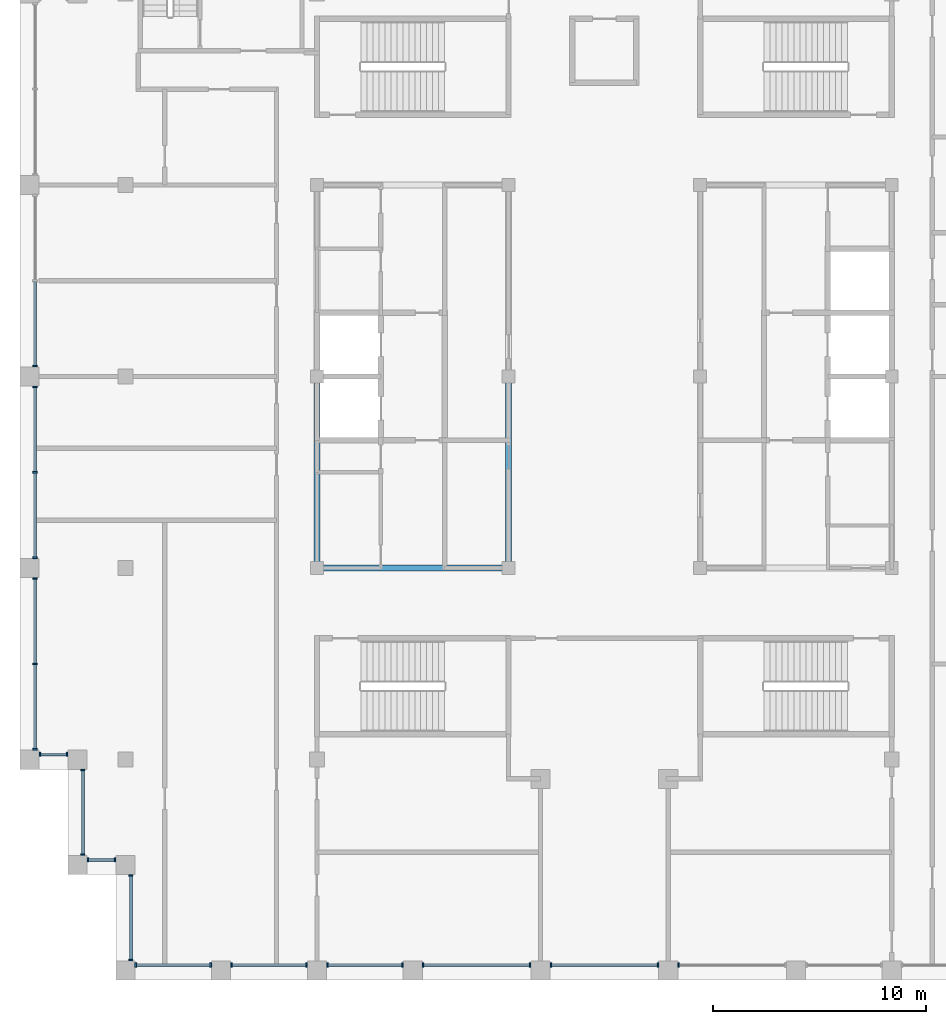
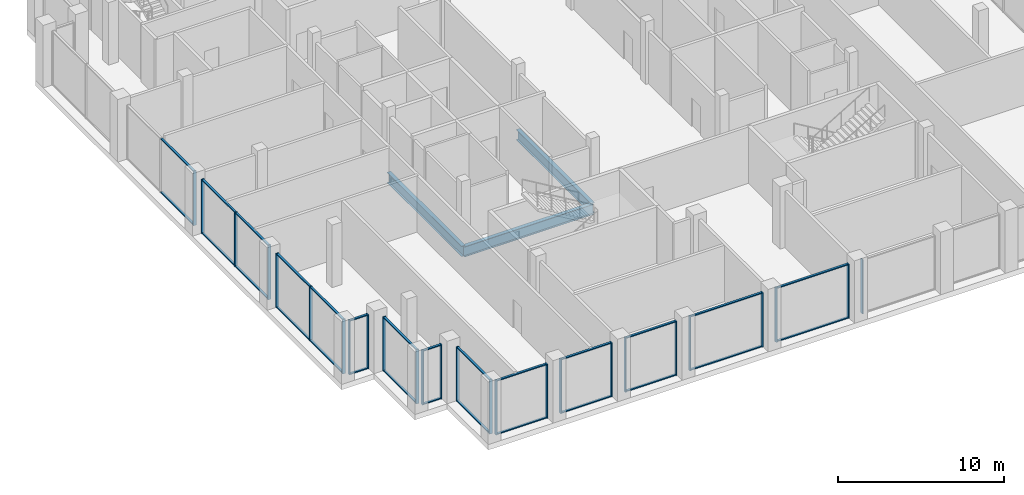
# One storey, part 2 of 12: 54 members, 3 beams, 13 elements without a shape of their own.
"""IFC4 building model written with IfcOpenShell, lengths in metres."""

from ifc_helpers import new_model, si_unit, direction, frame, origin, origin_2d, place, context, subcontext, project, spatial, rectangle, i_section, extrude, material, layer, layer_set, material_profile, profile_set, type_object, element, aggregate, save


model = new_model("IFC4")

# Units and contexts
model_context = context("Model", 3, precision=1e-05, world=origin(), true_north=direction((0.0, 1.0)))
body_context = subcontext(model_context, "Body", "Model", "MODEL_VIEW")
ifc_project = project(units=[si_unit("LENGTHUNIT", "METRE"), si_unit("AREAUNIT", "SQUARE_METRE"), si_unit("VOLUMEUNIT", "CUBIC_METRE"), si_unit("PLANEANGLEUNIT", "RADIAN"), si_unit("MASSUNIT", "GRAM", prefix="KILO")], contexts=[model_context])

# Site, building, storey
site_placement = place(None, origin())
site = spatial("IfcSite", under=ifc_project, at=site_placement, CompositionType="ELEMENT")
building_placement = place(site_placement, origin())
building = spatial("IfcBuilding", under=site, at=building_placement, Name="Corbelhall Arena Tower", CompositionType="ELEMENT")
storey_placement = place(building_placement, frame((0.0, 0.0, 356.0)))
storey = spatial("IfcBuildingStorey", under=building, at=storey_placement, Name="L78", CompositionType="ELEMENT", Elevation=356.0)

# Curtain wall, member
ifc_material_1 = material(Name="Aluminium black anodised", Category="aluminium")
ifc_layer = layer(ifc_material_1, 0.179931640625)
ifc_layer_set = layer_set([ifc_layer], Name="EV-CW3 Crown glazing")
curtain_wall_type = type_object("IfcCurtainWallType", Name="EV-CW3 Crown glazing", PredefinedType="NOTDEFINED", material=ifc_layer_set)
curtain_wall_1_placement = place(storey_placement, origin())
curtain_wall_1 = element("IfcCurtainWall", 1, at=curtain_wall_1_placement, inside=storey, type_object=curtain_wall_type, Name="Curtain wall CW3", PredefinedType="NOTDEFINED")
ifc_material_profile_1 = material_profile(ifc_material_1, rectangle(XDim=0.199951171875, YDim=0.074951171875, at=origin_2d()))
ifc_profile_set_1 = profile_set([ifc_material_profile_1], Name="Aluminium black anodised")
member_type_1 = type_object("IfcMemberType", Name="EV-CW3-MULLION", PredefinedType="MULLION", material=ifc_profile_set_1)
member_1_placement = place(storey_placement, frame((-26.75, 0.487548828125, 0.0), z_axis=(0.0, 0.0, 1.0), x_axis=(1.0, 0.0, 0.0)))
member_1 = element("IfcMember", 2, at=member_1_placement, type_object=member_type_1, Name="CW3 mullion 3", PredefinedType="MULLION", context=body_context, shape_type="SweptSolid", body=[
    extrude(rectangle(XDim=0.199951171875, YDim=0.074951171875, at=origin_2d()), origin(), (0.0, 0.0, 1.0), 3.99951171875),
])

# Curtain wall, members
curtain_wall_2_placement = place(storey_placement, origin())
curtain_wall_2 = element("IfcCurtainWall", 3, at=curtain_wall_2_placement, inside=storey, type_object=curtain_wall_type, Name="Curtain wall CW3", PredefinedType="NOTDEFINED")
member_2_placement = place(storey_placement, frame((-26.75, -0.487548828125, 0.0), z_axis=(0.0, 0.0, 1.0), x_axis=(1.0, 0.0, 0.0)))
member_2 = element("IfcMember", 4, at=member_2_placement, type_object=member_type_1, Name="CW3 mullion 1", PredefinedType="MULLION", context=body_context, shape_type="SweptSolid", body=[
    extrude(rectangle(XDim=0.199951171875, YDim=0.074951171875, at=origin_2d()), origin(), (0.0, 0.0, 1.0), 3.99951171875),
])
member_3_placement = place(storey_placement, frame((-26.75, -4.5, 0.0), z_axis=(0.0, 0.0, 1.0), x_axis=(1.0, 0.0, 0.0)))
member_3 = element("IfcMember", 5, at=member_3_placement, type_object=member_type_1, Name="CW3 mullion 2", PredefinedType="MULLION", context=body_context, shape_type="SweptSolid", body=[
    extrude(rectangle(XDim=0.199951171875, YDim=0.074951171875, at=origin_2d()), origin(), (0.0, 0.0, 1.0), 3.99951171875),
])
member_4_placement = place(storey_placement, frame((-26.75, -8.512451171875, 0.0), z_axis=(0.0, 0.0, 1.0), x_axis=(1.0, 0.0, 0.0)))
member_4 = element("IfcMember", 6, at=member_4_placement, type_object=member_type_1, Name="CW3 mullion 3", PredefinedType="MULLION", context=body_context, shape_type="SweptSolid", body=[
    extrude(rectangle(XDim=0.199951171875, YDim=0.074951171875, at=origin_2d()), origin(), (0.0, 0.0, 1.0), 3.99951171875),
])

curtain_wall_3_placement = place(storey_placement, origin())
curtain_wall_3 = element("IfcCurtainWall", 7, at=curtain_wall_3_placement, inside=storey, type_object=curtain_wall_type, Name="Curtain wall CW3", PredefinedType="NOTDEFINED")
member_5_placement = place(storey_placement, frame((-26.75, -9.487548828125, 0.0), z_axis=(0.0, 0.0, 1.0), x_axis=(1.0, 0.0, 0.0)))
member_5 = element("IfcMember", 8, at=member_5_placement, type_object=member_type_1, Name="CW3 mullion 1", PredefinedType="MULLION", context=body_context, shape_type="SweptSolid", body=[
    extrude(rectangle(XDim=0.199951171875, YDim=0.074951171875, at=origin_2d()), origin(), (0.0, 0.0, 1.0), 3.99951171875),
])
member_6_placement = place(storey_placement, frame((-26.75, -13.5, 0.0), z_axis=(0.0, 0.0, 1.0), x_axis=(1.0, 0.0, 0.0)))
member_6 = element("IfcMember", 9, at=member_6_placement, type_object=member_type_1, Name="CW3 mullion 2", PredefinedType="MULLION", context=body_context, shape_type="SweptSolid", body=[
    extrude(rectangle(XDim=0.199951171875, YDim=0.074951171875, at=origin_2d()), origin(), (0.0, 0.0, 1.0), 3.99951171875),
])
member_7_placement = place(storey_placement, frame((-26.75, -17.512451171875, 0.0), z_axis=(0.0, 0.0, 1.0), x_axis=(1.0, 0.0, 0.0)))
member_7 = element("IfcMember", 10, at=member_7_placement, type_object=member_type_1, Name="CW3 mullion 3", PredefinedType="MULLION", context=body_context, shape_type="SweptSolid", body=[
    extrude(rectangle(XDim=0.199951171875, YDim=0.074951171875, at=origin_2d()), origin(), (0.0, 0.0, 1.0), 3.99951171875),
])

curtain_wall_4_placement = place(storey_placement, origin())
curtain_wall_4 = element("IfcCurtainWall", 11, at=curtain_wall_4_placement, inside=storey, type_object=curtain_wall_type, Name="Curtain wall CW3B", PredefinedType="NOTDEFINED")
member_8_placement = place(storey_placement, frame((-26.512451171875, -17.75, 0.0), z_axis=(0.0, 0.0, 1.0), x_axis=(0.0, 1.0, 0.0)))
member_8 = element("IfcMember", 12, at=member_8_placement, type_object=member_type_1, Name="CW3B mullion 1", PredefinedType="MULLION", context=body_context, shape_type="SweptSolid", body=[
    extrude(rectangle(XDim=0.199951171875, YDim=0.074951171875, at=origin_2d()), origin(), (0.0, 0.0, 1.0), 3.99951171875),
])
member_9_placement = place(storey_placement, frame((-25.237548828125, -17.75, 0.0), z_axis=(0.0, 0.0, 1.0), x_axis=(0.0, 1.0, 0.0)))
member_9 = element("IfcMember", 13, at=member_9_placement, type_object=member_type_1, Name="CW3B mullion 2", PredefinedType="MULLION", context=body_context, shape_type="SweptSolid", body=[
    extrude(rectangle(XDim=0.199951171875, YDim=0.074951171875, at=origin_2d()), origin(), (0.0, 0.0, 1.0), 3.99951171875),
])

curtain_wall_5_placement = place(storey_placement, origin())
curtain_wall_5 = element("IfcCurtainWall", 14, at=curtain_wall_5_placement, inside=storey, type_object=curtain_wall_type, Name="Curtain wall CW3", PredefinedType="NOTDEFINED")
member_10_placement = place(storey_placement, frame((-24.5, -18.487548828125, 0.0), z_axis=(0.0, 0.0, 1.0), x_axis=(1.0, 0.0, 0.0)))
member_10 = element("IfcMember", 15, at=member_10_placement, type_object=member_type_1, Name="CW3 mullion 1", PredefinedType="MULLION", context=body_context, shape_type="SweptSolid", body=[
    extrude(rectangle(XDim=0.199951171875, YDim=0.074951171875, at=origin_2d()), origin(), (0.0, 0.0, 1.0), 3.99951171875),
])
member_11_placement = place(storey_placement, frame((-24.5, -22.46240234375, 0.0), z_axis=(0.0, 0.0, 1.0), x_axis=(1.0, 0.0, 0.0)))
member_11 = element("IfcMember", 16, at=member_11_placement, type_object=member_type_1, Name="CW3 mullion 2", PredefinedType="MULLION", context=body_context, shape_type="SweptSolid", body=[
    extrude(rectangle(XDim=0.199951171875, YDim=0.074951171875, at=origin_2d()), origin(), (0.0, 0.0, 1.0), 3.99951171875),
])

curtain_wall_6_placement = place(storey_placement, origin())
curtain_wall_6 = element("IfcCurtainWall", 17, at=curtain_wall_6_placement, inside=storey, type_object=curtain_wall_type, Name="Curtain wall CW3B", PredefinedType="NOTDEFINED")
member_12_placement = place(storey_placement, frame((-24.262451171875, -22.699951171875, 0.0), z_axis=(0.0, 0.0, 1.0), x_axis=(0.0, 1.0, 0.0)))
member_12 = element("IfcMember", 18, at=member_12_placement, type_object=member_type_1, Name="CW3B mullion 1", PredefinedType="MULLION", context=body_context, shape_type="SweptSolid", body=[
    extrude(rectangle(XDim=0.199951171875, YDim=0.074951171875, at=origin_2d()), origin(), (0.0, 0.0, 1.0), 3.99951171875),
])
member_13_placement = place(storey_placement, frame((-22.987548828125, -22.699951171875, 0.0), z_axis=(0.0, 0.0, 1.0), x_axis=(0.0, 1.0, 0.0)))
member_13 = element("IfcMember", 19, at=member_13_placement, type_object=member_type_1, Name="CW3B mullion 2", PredefinedType="MULLION", context=body_context, shape_type="SweptSolid", body=[
    extrude(rectangle(XDim=0.199951171875, YDim=0.074951171875, at=origin_2d()), origin(), (0.0, 0.0, 1.0), 3.99951171875),
])

curtain_wall_7_placement = place(storey_placement, origin())
curtain_wall_7 = element("IfcCurtainWall", 20, at=curtain_wall_7_placement, inside=storey, type_object=curtain_wall_type, Name="Curtain wall CW3", PredefinedType="NOTDEFINED")
member_14_placement = place(storey_placement, frame((-22.25, -23.4375, 0.0), z_axis=(0.0, 0.0, 1.0), x_axis=(1.0, 0.0, 0.0)))
member_14 = element("IfcMember", 21, at=member_14_placement, type_object=member_type_1, Name="CW3 mullion 1", PredefinedType="MULLION", context=body_context, shape_type="SweptSolid", body=[
    extrude(rectangle(XDim=0.199951171875, YDim=0.074951171875, at=origin_2d()), origin(), (0.0, 0.0, 1.0), 3.99951171875),
])
member_15_placement = place(storey_placement, frame((-22.25, -27.41259765625, 0.0), z_axis=(0.0, 0.0, 1.0), x_axis=(1.0, 0.0, 0.0)))
member_15 = element("IfcMember", 22, at=member_15_placement, type_object=member_type_1, Name="CW3 mullion 2", PredefinedType="MULLION", context=body_context, shape_type="SweptSolid", body=[
    extrude(rectangle(XDim=0.199951171875, YDim=0.074951171875, at=origin_2d()), origin(), (0.0, 0.0, 1.0), 3.99951171875),
])

curtain_wall_8_placement = place(storey_placement, origin())
curtain_wall_8 = element("IfcCurtainWall", 23, at=curtain_wall_8_placement, inside=storey, type_object=curtain_wall_type, Name="Curtain wall CW3A", PredefinedType="NOTDEFINED")
member_16_placement = place(storey_placement, frame((-22.012451171875, -27.64990234375, 0.0), z_axis=(0.0, 0.0, 1.0), x_axis=(0.0, 1.0, 0.0)))
member_16 = element("IfcMember", 24, at=member_16_placement, type_object=member_type_1, Name="CW3A mullion 1", PredefinedType="MULLION", context=body_context, shape_type="SweptSolid", body=[
    extrude(rectangle(XDim=0.199951171875, YDim=0.074951171875, at=origin_2d()), origin(), (0.0, 0.0, 1.0), 3.99951171875),
])
member_17_placement = place(storey_placement, frame((-18.487548828125, -27.64990234375, 0.0), z_axis=(0.0, 0.0, 1.0), x_axis=(0.0, 1.0, 0.0)))
member_17 = element("IfcMember", 25, at=member_17_placement, type_object=member_type_1, Name="CW3A mullion 2", PredefinedType="MULLION", context=body_context, shape_type="SweptSolid", body=[
    extrude(rectangle(XDim=0.199951171875, YDim=0.074951171875, at=origin_2d()), origin(), (0.0, 0.0, 1.0), 3.99951171875),
])

curtain_wall_9_placement = place(storey_placement, origin())
curtain_wall_9 = element("IfcCurtainWall", 26, at=curtain_wall_9_placement, inside=storey, type_object=curtain_wall_type, Name="Curtain wall CW3A", PredefinedType="NOTDEFINED")
member_18_placement = place(storey_placement, frame((-17.512451171875, -27.64990234375, 0.0), z_axis=(0.0, 0.0, 1.0), x_axis=(0.0, 1.0, 0.0)))
member_18 = element("IfcMember", 27, at=member_18_placement, type_object=member_type_1, Name="CW3A mullion 1", PredefinedType="MULLION", context=body_context, shape_type="SweptSolid", body=[
    extrude(rectangle(XDim=0.199951171875, YDim=0.074951171875, at=origin_2d()), origin(), (0.0, 0.0, 1.0), 3.99951171875),
])
member_19_placement = place(storey_placement, frame((-13.987548828125, -27.64990234375, 0.0), z_axis=(0.0, 0.0, 1.0), x_axis=(0.0, 1.0, 0.0)))
member_19 = element("IfcMember", 28, at=member_19_placement, type_object=member_type_1, Name="CW3A mullion 2", PredefinedType="MULLION", context=body_context, shape_type="SweptSolid", body=[
    extrude(rectangle(XDim=0.199951171875, YDim=0.074951171875, at=origin_2d()), origin(), (0.0, 0.0, 1.0), 3.99951171875),
])

curtain_wall_10_placement = place(storey_placement, origin())
curtain_wall_10 = element("IfcCurtainWall", 29, at=curtain_wall_10_placement, inside=storey, type_object=curtain_wall_type, Name="Curtain wall CW3A", PredefinedType="NOTDEFINED")
member_20_placement = place(storey_placement, frame((-13.012451171875, -27.64990234375, 0.0), z_axis=(0.0, 0.0, 1.0), x_axis=(0.0, 1.0, 0.0)))
member_20 = element("IfcMember", 30, at=member_20_placement, type_object=member_type_1, Name="CW3A mullion 1", PredefinedType="MULLION", context=body_context, shape_type="SweptSolid", body=[
    extrude(rectangle(XDim=0.199951171875, YDim=0.074951171875, at=origin_2d()), origin(), (0.0, 0.0, 1.0), 3.99951171875),
])
member_21_placement = place(storey_placement, frame((-9.487548828125, -27.64990234375, 0.0), z_axis=(0.0, 0.0, 1.0), x_axis=(0.0, 1.0, 0.0)))
member_21 = element("IfcMember", 31, at=member_21_placement, type_object=member_type_1, Name="CW3A mullion 2", PredefinedType="MULLION", context=body_context, shape_type="SweptSolid", body=[
    extrude(rectangle(XDim=0.199951171875, YDim=0.074951171875, at=origin_2d()), origin(), (0.0, 0.0, 1.0), 3.99951171875),
])

curtain_wall_11_placement = place(storey_placement, origin())
curtain_wall_11 = element("IfcCurtainWall", 32, at=curtain_wall_11_placement, inside=storey, type_object=curtain_wall_type, Name="Curtain wall CW3C", PredefinedType="NOTDEFINED")
member_22_placement = place(storey_placement, frame((-8.512451171875, -27.64990234375, 0.0), z_axis=(0.0, 0.0, 1.0), x_axis=(0.0, 1.0, 0.0)))
member_22 = element("IfcMember", 33, at=member_22_placement, type_object=member_type_1, Name="CW3C mullion 1", PredefinedType="MULLION", context=body_context, shape_type="SweptSolid", body=[
    extrude(rectangle(XDim=0.199951171875, YDim=0.074951171875, at=origin_2d()), origin(), (0.0, 0.0, 1.0), 3.99951171875),
])
member_23_placement = place(storey_placement, frame((-3.487548828125, -27.64990234375, 0.0), z_axis=(0.0, 0.0, 1.0), x_axis=(0.0, 1.0, 0.0)))
member_23 = element("IfcMember", 34, at=member_23_placement, type_object=member_type_1, Name="CW3C mullion 2", PredefinedType="MULLION", context=body_context, shape_type="SweptSolid", body=[
    extrude(rectangle(XDim=0.199951171875, YDim=0.074951171875, at=origin_2d()), origin(), (0.0, 0.0, 1.0), 3.99951171875),
])

curtain_wall_12_placement = place(storey_placement, origin())
curtain_wall_12 = element("IfcCurtainWall", 35, at=curtain_wall_12_placement, inside=storey, type_object=curtain_wall_type, Name="Curtain wall CW3C", PredefinedType="NOTDEFINED")
member_24_placement = place(storey_placement, frame((-2.512451171875, -27.64990234375, 0.0), z_axis=(0.0, 0.0, 1.0), x_axis=(0.0, 1.0, 0.0)))
member_24 = element("IfcMember", 36, at=member_24_placement, type_object=member_type_1, Name="CW3C mullion 1", PredefinedType="MULLION", context=body_context, shape_type="SweptSolid", body=[
    extrude(rectangle(XDim=0.199951171875, YDim=0.074951171875, at=origin_2d()), origin(), (0.0, 0.0, 1.0), 3.99951171875),
])
member_25_placement = place(storey_placement, frame((2.512451171875, -27.64990234375, 0.0), z_axis=(0.0, 0.0, 1.0), x_axis=(0.0, 1.0, 0.0)))
member_25 = element("IfcMember", 37, at=member_25_placement, type_object=member_type_1, Name="CW3C mullion 2", PredefinedType="MULLION", context=body_context, shape_type="SweptSolid", body=[
    extrude(rectangle(XDim=0.199951171875, YDim=0.074951171875, at=origin_2d()), origin(), (0.0, 0.0, 1.0), 3.99951171875),
])

# Curtain wall, member
curtain_wall_13_placement = place(storey_placement, origin())
curtain_wall_13 = element("IfcCurtainWall", 38, at=curtain_wall_13_placement, inside=storey, type_object=curtain_wall_type, Name="Curtain wall CW3C", PredefinedType="NOTDEFINED")
member_26_placement = place(storey_placement, frame((3.487548828125, -27.64990234375, 0.0), z_axis=(0.0, 0.0, 1.0), x_axis=(0.0, 1.0, 0.0)))
member_26 = element("IfcMember", 39, at=member_26_placement, type_object=member_type_1, Name="CW3C mullion 1", PredefinedType="MULLION", context=body_context, shape_type="SweptSolid", body=[
    extrude(rectangle(XDim=0.199951171875, YDim=0.074951171875, at=origin_2d()), origin(), (0.0, 0.0, 1.0), 3.99951171875),
])
aggregate(curtain_wall_13, [member_26])

# Member
ifc_material_profile_2 = material_profile(ifc_material_1, rectangle(XDim=0.14990234375, YDim=0.074951171875, at=origin_2d()))
ifc_profile_set_2 = profile_set([ifc_material_profile_2], Name="Aluminium black anodised")
member_type_2 = type_object("IfcMemberType", Name="EV-CW3-TRANSOM", PredefinedType="USERDEFINED", material=ifc_profile_set_2)
member_27_placement = place(storey_placement, frame((-26.75, 4.46240234375, 0.03759765625), z_axis=(0.0, -1.0, 0.0), x_axis=(1.0, 0.0, 0.0)))
member_27 = element("IfcMember", 40, at=member_27_placement, type_object=member_type_2, Name="CW3 transom 2.1", ObjectType="transom", PredefinedType="USERDEFINED", context=body_context, shape_type="SweptSolid", body=[
    extrude(rectangle(XDim=0.14990234375, YDim=0.074951171875, at=origin_2d()), origin(), (0.0, 0.0, 1.0), 3.9375),
])

member_28_placement = place(storey_placement, frame((-26.75, 4.46240234375, 3.962158203125), z_axis=(0.0, -1.0, 0.0), x_axis=(1.0, 0.0, 0.0)))
member_28 = element("IfcMember", 41, at=member_28_placement, type_object=member_type_2, Name="CW3 transom 2.2", ObjectType="transom", PredefinedType="USERDEFINED", context=body_context, shape_type="SweptSolid", body=[
    extrude(rectangle(XDim=0.14990234375, YDim=0.074951171875, at=origin_2d()), origin(), (0.0, 0.0, 1.0), 3.9375),
])

aggregate(curtain_wall_1, [member_1, member_27, member_28])

member_29_placement = place(storey_placement, frame((-26.75, -0.52490234375, 0.03759765625), z_axis=(0.0, -1.0, 0.0), x_axis=(1.0, 0.0, 0.0)))
member_29 = element("IfcMember", 42, at=member_29_placement, type_object=member_type_2, Name="CW3 transom 1.1", ObjectType="transom", PredefinedType="USERDEFINED", context=body_context, shape_type="SweptSolid", body=[
    extrude(rectangle(XDim=0.14990234375, YDim=0.074951171875, at=origin_2d()), origin(), (0.0, 0.0, 1.0), 3.9375),
])

member_30_placement = place(storey_placement, frame((-26.75, -0.52490234375, 3.962158203125), z_axis=(0.0, -1.0, 0.0), x_axis=(1.0, 0.0, 0.0)))
member_30 = element("IfcMember", 43, at=member_30_placement, type_object=member_type_2, Name="CW3 transom 1.2", ObjectType="transom", PredefinedType="USERDEFINED", context=body_context, shape_type="SweptSolid", body=[
    extrude(rectangle(XDim=0.14990234375, YDim=0.074951171875, at=origin_2d()), origin(), (0.0, 0.0, 1.0), 3.9375),
])

member_31_placement = place(storey_placement, frame((-26.75, -4.53759765625, 0.03759765625), z_axis=(0.0, -1.0, 0.0), x_axis=(1.0, 0.0, 0.0)))
member_31 = element("IfcMember", 44, at=member_31_placement, type_object=member_type_2, Name="CW3 transom 2.1", ObjectType="transom", PredefinedType="USERDEFINED", context=body_context, shape_type="SweptSolid", body=[
    extrude(rectangle(XDim=0.14990234375, YDim=0.074951171875, at=origin_2d()), origin(), (0.0, 0.0, 1.0), 3.9375),
])

member_32_placement = place(storey_placement, frame((-26.75, -4.53759765625, 3.962158203125), z_axis=(0.0, -1.0, 0.0), x_axis=(1.0, 0.0, 0.0)))
member_32 = element("IfcMember", 45, at=member_32_placement, type_object=member_type_2, Name="CW3 transom 2.2", ObjectType="transom", PredefinedType="USERDEFINED", context=body_context, shape_type="SweptSolid", body=[
    extrude(rectangle(XDim=0.14990234375, YDim=0.074951171875, at=origin_2d()), origin(), (0.0, 0.0, 1.0), 3.9375),
])

aggregate(curtain_wall_2, [member_2, member_3, member_4, member_29, member_30, member_31, member_32])

member_33_placement = place(storey_placement, frame((-26.75, -9.52490234375, 0.03759765625), z_axis=(0.0, -1.0, 0.0), x_axis=(1.0, 0.0, 0.0)))
member_33 = element("IfcMember", 46, at=member_33_placement, type_object=member_type_2, Name="CW3 transom 1.1", ObjectType="transom", PredefinedType="USERDEFINED", context=body_context, shape_type="SweptSolid", body=[
    extrude(rectangle(XDim=0.14990234375, YDim=0.074951171875, at=origin_2d()), origin(), (0.0, 0.0, 1.0), 3.9375),
])

member_34_placement = place(storey_placement, frame((-26.75, -9.52490234375, 3.962158203125), z_axis=(0.0, -1.0, 0.0), x_axis=(1.0, 0.0, 0.0)))
member_34 = element("IfcMember", 47, at=member_34_placement, type_object=member_type_2, Name="CW3 transom 1.2", ObjectType="transom", PredefinedType="USERDEFINED", context=body_context, shape_type="SweptSolid", body=[
    extrude(rectangle(XDim=0.14990234375, YDim=0.074951171875, at=origin_2d()), origin(), (0.0, 0.0, 1.0), 3.9375),
])

member_35_placement = place(storey_placement, frame((-26.75, -13.53759765625, 0.03759765625), z_axis=(0.0, -1.0, 0.0), x_axis=(1.0, 0.0, 0.0)))
member_35 = element("IfcMember", 48, at=member_35_placement, type_object=member_type_2, Name="CW3 transom 2.1", ObjectType="transom", PredefinedType="USERDEFINED", context=body_context, shape_type="SweptSolid", body=[
    extrude(rectangle(XDim=0.14990234375, YDim=0.074951171875, at=origin_2d()), origin(), (0.0, 0.0, 1.0), 3.9375),
])

member_36_placement = place(storey_placement, frame((-26.75, -13.53759765625, 3.962158203125), z_axis=(0.0, -1.0, 0.0), x_axis=(1.0, 0.0, 0.0)))
member_36 = element("IfcMember", 49, at=member_36_placement, type_object=member_type_2, Name="CW3 transom 2.2", ObjectType="transom", PredefinedType="USERDEFINED", context=body_context, shape_type="SweptSolid", body=[
    extrude(rectangle(XDim=0.14990234375, YDim=0.074951171875, at=origin_2d()), origin(), (0.0, 0.0, 1.0), 3.9375),
])

aggregate(curtain_wall_3, [member_5, member_6, member_7, member_33, member_34, member_35, member_36])

member_37_placement = place(storey_placement, frame((-26.47509765625, -17.75, 0.03759765625), z_axis=(1.0, 0.0, 0.0), x_axis=(0.0, 1.0, 0.0)))
member_37 = element("IfcMember", 50, at=member_37_placement, type_object=member_type_2, Name="CW3B transom 1.1", ObjectType="transom", PredefinedType="USERDEFINED", context=body_context, shape_type="SweptSolid", body=[
    extrude(rectangle(XDim=0.14990234375, YDim=0.074951171875, at=origin_2d()), origin(), (0.0, 0.0, 1.0), 1.2001953125),
])

member_38_placement = place(storey_placement, frame((-26.47509765625, -17.75, 3.962158203125), z_axis=(1.0, 0.0, 0.0), x_axis=(0.0, 1.0, 0.0)))
member_38 = element("IfcMember", 51, at=member_38_placement, type_object=member_type_2, Name="CW3B transom 1.2", ObjectType="transom", PredefinedType="USERDEFINED", context=body_context, shape_type="SweptSolid", body=[
    extrude(rectangle(XDim=0.14990234375, YDim=0.074951171875, at=origin_2d()), origin(), (0.0, 0.0, 1.0), 1.2001953125),
])

aggregate(curtain_wall_4, [member_8, member_9, member_37, member_38])

member_39_placement = place(storey_placement, frame((-24.5, -18.52490234375, 0.03759765625), z_axis=(0.0, -1.0, 0.0), x_axis=(1.0, 0.0, 0.0)))
member_39 = element("IfcMember", 52, at=member_39_placement, type_object=member_type_2, Name="CW3 transom 1.1", ObjectType="transom", PredefinedType="USERDEFINED", context=body_context, shape_type="SweptSolid", body=[
    extrude(rectangle(XDim=0.14990234375, YDim=0.074951171875, at=origin_2d()), origin(), (0.0, 0.0, 1.0), 3.900146484375),
])

member_40_placement = place(storey_placement, frame((-24.5, -18.52490234375, 3.962158203125), z_axis=(0.0, -1.0, 0.0), x_axis=(1.0, 0.0, 0.0)))
member_40 = element("IfcMember", 53, at=member_40_placement, type_object=member_type_2, Name="CW3 transom 1.2", ObjectType="transom", PredefinedType="USERDEFINED", context=body_context, shape_type="SweptSolid", body=[
    extrude(rectangle(XDim=0.14990234375, YDim=0.074951171875, at=origin_2d()), origin(), (0.0, 0.0, 1.0), 3.900146484375),
])

aggregate(curtain_wall_5, [member_10, member_11, member_39, member_40])

member_41_placement = place(storey_placement, frame((-24.22509765625, -22.699951171875, 0.03759765625), z_axis=(1.0, 0.0, 0.0), x_axis=(0.0, 1.0, 0.0)))
member_41 = element("IfcMember", 54, at=member_41_placement, type_object=member_type_2, Name="CW3B transom 1.1", ObjectType="transom", PredefinedType="USERDEFINED", context=body_context, shape_type="SweptSolid", body=[
    extrude(rectangle(XDim=0.14990234375, YDim=0.074951171875, at=origin_2d()), origin(), (0.0, 0.0, 1.0), 1.2001953125),
])

member_42_placement = place(storey_placement, frame((-24.22509765625, -22.699951171875, 3.962158203125), z_axis=(1.0, 0.0, 0.0), x_axis=(0.0, 1.0, 0.0)))
member_42 = element("IfcMember", 55, at=member_42_placement, type_object=member_type_2, Name="CW3B transom 1.2", ObjectType="transom", PredefinedType="USERDEFINED", context=body_context, shape_type="SweptSolid", body=[
    extrude(rectangle(XDim=0.14990234375, YDim=0.074951171875, at=origin_2d()), origin(), (0.0, 0.0, 1.0), 1.2001953125),
])

aggregate(curtain_wall_6, [member_12, member_13, member_41, member_42])

member_43_placement = place(storey_placement, frame((-22.25, -23.47509765625, 0.03759765625), z_axis=(0.0, -1.0, 0.0), x_axis=(1.0, 0.0, 0.0)))
member_43 = element("IfcMember", 56, at=member_43_placement, type_object=member_type_2, Name="CW3 transom 1.1", ObjectType="transom", PredefinedType="USERDEFINED", context=body_context, shape_type="SweptSolid", body=[
    extrude(rectangle(XDim=0.14990234375, YDim=0.074951171875, at=origin_2d()), origin(), (0.0, 0.0, 1.0), 3.89990234375),
])

member_44_placement = place(storey_placement, frame((-22.25, -23.47509765625, 3.962158203125), z_axis=(0.0, -1.0, 0.0), x_axis=(1.0, 0.0, 0.0)))
member_44 = element("IfcMember", 57, at=member_44_placement, type_object=member_type_2, Name="CW3 transom 1.2", ObjectType="transom", PredefinedType="USERDEFINED", context=body_context, shape_type="SweptSolid", body=[
    extrude(rectangle(XDim=0.14990234375, YDim=0.074951171875, at=origin_2d()), origin(), (0.0, 0.0, 1.0), 3.89990234375),
])

aggregate(curtain_wall_7, [member_14, member_15, member_43, member_44])

member_45_placement = place(storey_placement, frame((-21.97509765625, -27.64990234375, 0.03759765625), z_axis=(1.0, 0.0, 0.0), x_axis=(0.0, 1.0, 0.0)))
member_45 = element("IfcMember", 58, at=member_45_placement, type_object=member_type_2, Name="CW3A transom 1.1", ObjectType="transom", PredefinedType="USERDEFINED", context=body_context, shape_type="SweptSolid", body=[
    extrude(rectangle(XDim=0.14990234375, YDim=0.074951171875, at=origin_2d()), origin(), (0.0, 0.0, 1.0), 3.4501953125),
])

member_46_placement = place(storey_placement, frame((-21.97509765625, -27.64990234375, 3.962158203125), z_axis=(1.0, 0.0, 0.0), x_axis=(0.0, 1.0, 0.0)))
member_46 = element("IfcMember", 59, at=member_46_placement, type_object=member_type_2, Name="CW3A transom 1.2", ObjectType="transom", PredefinedType="USERDEFINED", context=body_context, shape_type="SweptSolid", body=[
    extrude(rectangle(XDim=0.14990234375, YDim=0.074951171875, at=origin_2d()), origin(), (0.0, 0.0, 1.0), 3.4501953125),
])

aggregate(curtain_wall_8, [member_16, member_17, member_45, member_46])

member_47_placement = place(storey_placement, frame((-17.47509765625, -27.64990234375, 0.03759765625), z_axis=(1.0, 0.0, 0.0), x_axis=(0.0, 1.0, 0.0)))
member_47 = element("IfcMember", 60, at=member_47_placement, type_object=member_type_2, Name="CW3A transom 1.1", ObjectType="transom", PredefinedType="USERDEFINED", context=body_context, shape_type="SweptSolid", body=[
    extrude(rectangle(XDim=0.14990234375, YDim=0.074951171875, at=origin_2d()), origin(), (0.0, 0.0, 1.0), 3.4501953125),
])

member_48_placement = place(storey_placement, frame((-17.47509765625, -27.64990234375, 3.962158203125), z_axis=(1.0, 0.0, 0.0), x_axis=(0.0, 1.0, 0.0)))
member_48 = element("IfcMember", 61, at=member_48_placement, type_object=member_type_2, Name="CW3A transom 1.2", ObjectType="transom", PredefinedType="USERDEFINED", context=body_context, shape_type="SweptSolid", body=[
    extrude(rectangle(XDim=0.14990234375, YDim=0.074951171875, at=origin_2d()), origin(), (0.0, 0.0, 1.0), 3.4501953125),
])

aggregate(curtain_wall_9, [member_18, member_19, member_47, member_48])

member_49_placement = place(storey_placement, frame((-12.97509765625, -27.64990234375, 0.03759765625), z_axis=(1.0, 0.0, 0.0), x_axis=(0.0, 1.0, 0.0)))
member_49 = element("IfcMember", 62, at=member_49_placement, type_object=member_type_2, Name="CW3A transom 1.1", ObjectType="transom", PredefinedType="USERDEFINED", context=body_context, shape_type="SweptSolid", body=[
    extrude(rectangle(XDim=0.14990234375, YDim=0.074951171875, at=origin_2d()), origin(), (0.0, 0.0, 1.0), 3.4501953125),
])

member_50_placement = place(storey_placement, frame((-12.97509765625, -27.64990234375, 3.962158203125), z_axis=(1.0, 0.0, 0.0), x_axis=(0.0, 1.0, 0.0)))
member_50 = element("IfcMember", 63, at=member_50_placement, type_object=member_type_2, Name="CW3A transom 1.2", ObjectType="transom", PredefinedType="USERDEFINED", context=body_context, shape_type="SweptSolid", body=[
    extrude(rectangle(XDim=0.14990234375, YDim=0.074951171875, at=origin_2d()), origin(), (0.0, 0.0, 1.0), 3.4501953125),
])

aggregate(curtain_wall_10, [member_20, member_21, member_49, member_50])

member_51_placement = place(storey_placement, frame((-8.47509765625, -27.64990234375, 0.03759765625), z_axis=(1.0, 0.0, 0.0), x_axis=(0.0, 1.0, 0.0)))
member_51 = element("IfcMember", 64, at=member_51_placement, type_object=member_type_2, Name="CW3C transom 1.1", ObjectType="transom", PredefinedType="USERDEFINED", context=body_context, shape_type="SweptSolid", body=[
    extrude(rectangle(XDim=0.14990234375, YDim=0.074951171875, at=origin_2d()), origin(), (0.0, 0.0, 1.0), 4.9501953125),
])

member_52_placement = place(storey_placement, frame((-8.47509765625, -27.64990234375, 3.962158203125), z_axis=(1.0, 0.0, 0.0), x_axis=(0.0, 1.0, 0.0)))
member_52 = element("IfcMember", 65, at=member_52_placement, type_object=member_type_2, Name="CW3C transom 1.2", ObjectType="transom", PredefinedType="USERDEFINED", context=body_context, shape_type="SweptSolid", body=[
    extrude(rectangle(XDim=0.14990234375, YDim=0.074951171875, at=origin_2d()), origin(), (0.0, 0.0, 1.0), 4.9501953125),
])

aggregate(curtain_wall_11, [member_22, member_23, member_51, member_52])

member_53_placement = place(storey_placement, frame((-2.47509765625, -27.64990234375, 0.03759765625), z_axis=(1.0, 0.0, 0.0), x_axis=(0.0, 1.0, 0.0)))
member_53 = element("IfcMember", 66, at=member_53_placement, type_object=member_type_2, Name="CW3C transom 1.1", ObjectType="transom", PredefinedType="USERDEFINED", context=body_context, shape_type="SweptSolid", body=[
    extrude(rectangle(XDim=0.14990234375, YDim=0.074951171875, at=origin_2d()), origin(), (0.0, 0.0, 1.0), 4.9501953125),
])

member_54_placement = place(storey_placement, frame((-2.47509765625, -27.64990234375, 3.962158203125), z_axis=(1.0, 0.0, 0.0), x_axis=(0.0, 1.0, 0.0)))
member_54 = element("IfcMember", 67, at=member_54_placement, type_object=member_type_2, Name="CW3C transom 1.2", ObjectType="transom", PredefinedType="USERDEFINED", context=body_context, shape_type="SweptSolid", body=[
    extrude(rectangle(XDim=0.14990234375, YDim=0.074951171875, at=origin_2d()), origin(), (0.0, 0.0, 1.0), 4.9501953125),
])

aggregate(curtain_wall_12, [member_24, member_25, member_53, member_54])

# Beams
ifc_material_2 = material(Name="Steel ASTM A992 Gr50", Category="steel")
ifc_material_profile_3 = material_profile(ifc_material_2, i_section(OverallWidth=0.2666015625, OverallDepth=0.761962890625, WebThickness=0.014404296875, FlangeThickness=0.021484375, at=origin_2d()))
ifc_profile_set_3 = profile_set([ifc_material_profile_3], Name="Steel ASTM A992 Gr50")
beam_type = type_object("IfcBeamType", Name="ST-BEAM-W30x116", PredefinedType="BEAM", material=ifc_profile_set_3)
for number, where, z_axis, x_axis, name in (
    (68, (-13.5, -9.0, -0.781494140625), (0.0, 1.0, 0.0), (-1.0, 0.0, 0.0), "Beam CEW 1"),
    (69, (-4.5, -9.0, -0.781494140625), (0.0, 1.0, 0.0), (-1.0, 0.0, 0.0), "Beam CEW 3"),
    (70, (-13.5, -9.0, -0.781494140625), (1.0, 0.0, 0.0), (0.0, 1.0, 0.0), "Beam CEW 5"),
):
    element("IfcBeam", number, at=place(storey_placement, frame(where, z_axis=z_axis, x_axis=x_axis)), inside=storey, type_object=beam_type, Name=name, PredefinedType="BEAM", context=body_context, shape_type="SweptSolid", body=[
        extrude(i_section(OverallWidth=0.2666015625, OverallDepth=0.761962890625, WebThickness=0.014404296875, FlangeThickness=0.021484375, at=origin_2d()), origin(), (0.0, 0.0, 1.0), 9.0),
    ])

save(model, "model.ifc")
